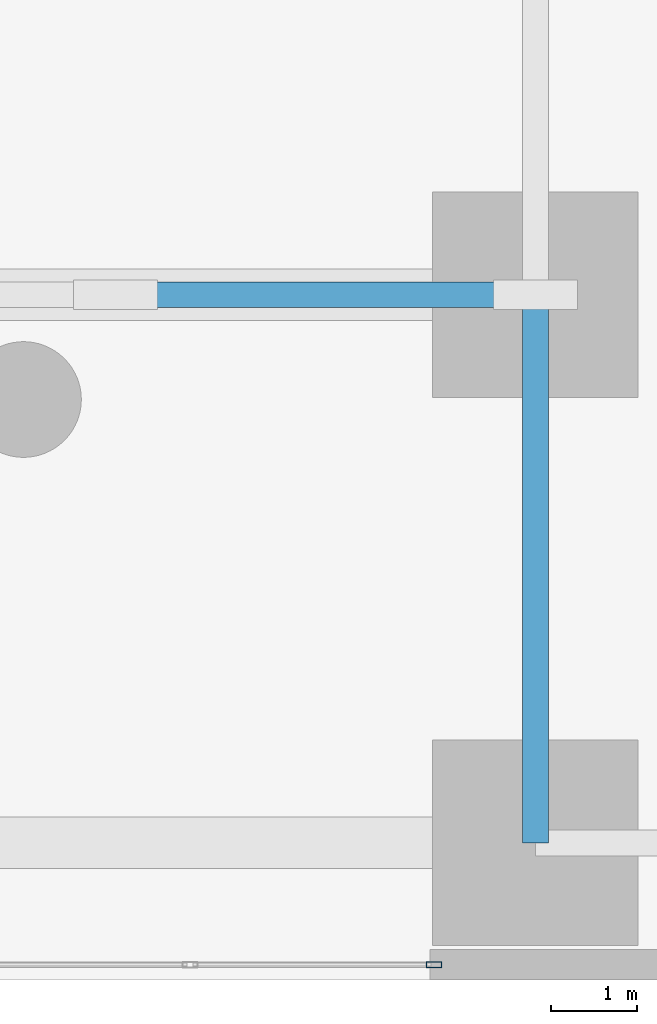
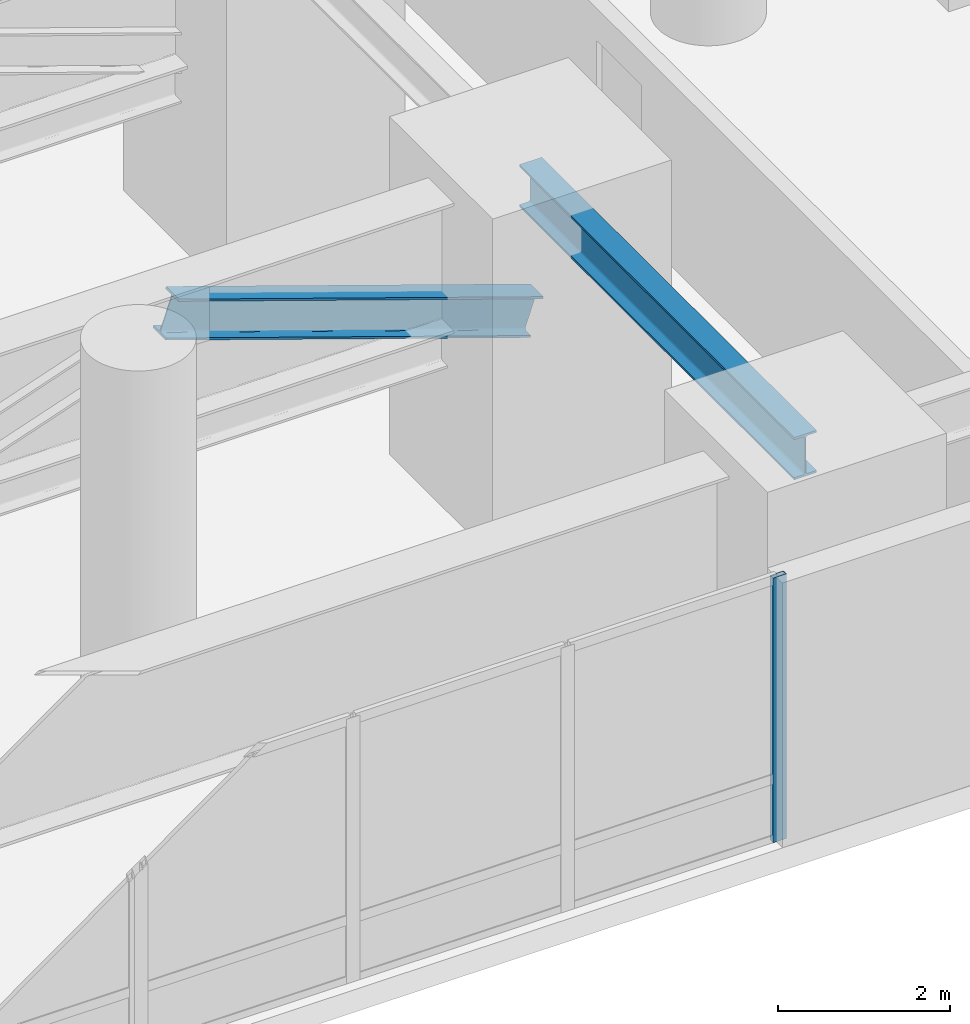
# One storey, part 8 of 17: 2 members, 1 beam, 1 element without a shape of its own.
"""IFC4 building model written with IfcOpenShell, lengths in metres."""

from ifc_helpers import new_model, si_unit, direction, frame, origin, origin_2d, place, context, subcontext, project, spatial, hollow_rectangle, i_section, extrude, material, layer, layer_set, material_profile, profile_set, type_object, element, aggregate, save


model = new_model("IFC4")

# Units and contexts
model_context = context("Model", 3, precision=1e-05, world=origin(), true_north=direction((0.0, 1.0)))
body_context = subcontext(model_context, "Body", "Model", "MODEL_VIEW")
ifc_project = project(units=[si_unit("LENGTHUNIT", "METRE"), si_unit("AREAUNIT", "SQUARE_METRE"), si_unit("VOLUMEUNIT", "CUBIC_METRE"), si_unit("PLANEANGLEUNIT", "RADIAN"), si_unit("MASSUNIT", "GRAM", prefix="KILO"), si_unit("THERMODYNAMICTEMPERATUREUNIT", "KELVIN"), si_unit("POWERUNIT", "WATT")], contexts=[model_context])

# Site, building, storey
site_placement = place(None, origin())
site = spatial("IfcSite", under=ifc_project, at=site_placement, CompositionType="ELEMENT")
building_placement = place(site_placement, origin())
building = spatial("IfcBuilding", under=site, at=building_placement, Name="Ocrelia Relay Tower", CompositionType="ELEMENT")
storey_placement = place(building_placement, frame((0.0, 0.0, 15.60009765625)))
storey = spatial("IfcBuildingStorey", under=building, at=storey_placement, Name="L03", CompositionType="ELEMENT", Elevation=15.60009765625)

# Beam
ifc_material_1 = material(Name="Steel S355", Category="steel")
ifc_material_profile_1 = material_profile(ifc_material_1, i_section(OverallWidth=0.300048828125, OverallDepth=0.60009765625, WebThickness=0.015380859375, FlangeThickness=0.030029296875, FilletRadius=0.027099609375, at=origin_2d()), Name="HEB 600")
ifc_profile_set_1 = profile_set([ifc_material_profile_1], Name="Steel S355")
beam_type = type_object("IfcBeamType", Name="BM-HEB600", PredefinedType="BEAM", material=ifc_profile_set_1)
beam_placement = place(storey_placement, frame((43.800048828125, 1.60009765625, 4.179931640625), z_axis=(0.0, 1.0, 0.0), x_axis=(-1.0, 0.0, 0.0)))
element("IfcBeam", 1, at=beam_placement, inside=storey, type_object=beam_type, Name="L03 Pier Line Tie Girder AE-1", PredefinedType="BEAM", context=body_context, shape_type="SweptSolid", body=[
    extrude(i_section(OverallWidth=0.300048828125, OverallDepth=0.60009765625, WebThickness=0.015380859375, FlangeThickness=0.030029296875, FilletRadius=0.027099609375, at=origin_2d()), origin(), (0.0, 0.0, 1.0), 6.39990234375),
])

# Curtain wall, member
ifc_material_2 = material(Name="Aluminium and solar-control low-E glass", Category="aluminium")
ifc_layer = layer(ifc_material_2, 0.179931640625, Name="Aluminium and solar-control low-E glass")
ifc_layer_set = layer_set([ifc_layer], Name="Aluminium and solar-control low-E glass")
curtain_wall_type = type_object("IfcCurtainWallType", Name="CW-SYS-POD-GALL", PredefinedType="NOTDEFINED", material=ifc_layer_set)
curtain_wall_placement = place(storey_placement, origin())
curtain_wall = element("IfcCurtainWall", 2, at=curtain_wall_placement, inside=storey, type_object=curtain_wall_type, Name="L03 South Over-Arch Curtain Wall East", PredefinedType="NOTDEFINED")
ifc_material_3 = material(Name="Anodised bronze aluminium", Category="aluminium")
ifc_material_profile_2 = material_profile(ifc_material_3, hollow_rectangle(XDim=0.070068359375, YDim=0.179931640625, WallThickness=0.006103515625, at=origin_2d()), Name="CW-MUL-180x70")
ifc_profile_set_2 = profile_set([ifc_material_profile_2], Name="Anodised bronze aluminium")
member_type_1 = type_object("IfcMemberType", Name="CW-SYS-POD-GALL-MUL", PredefinedType="MULLION", material=ifc_profile_set_2)
member_1_placement = place(storey_placement, frame((42.614990234375, 0.179931640625, 0.0), z_axis=(0.0, 0.0, 1.0), x_axis=(0.0, 1.0, 0.0)))
member_1 = element("IfcMember", 3, at=member_1_placement, type_object=member_type_1, Name="CW-PG mullion 4", PredefinedType="MULLION", context=body_context, shape_type="SweptSolid", body=[
    extrude(hollow_rectangle(XDim=0.070068359375, YDim=0.179931640625, WallThickness=0.006103515625, at=origin_2d()), origin(), (0.0, 0.0, 1.0), 3.760009765625),
])
aggregate(curtain_wall, [member_1])

# Member
ifc_material_profile_3 = material_profile(ifc_material_1, i_section(OverallWidth=0.300048828125, OverallDepth=0.550048828125, WebThickness=0.014892578125, FlangeThickness=0.029052734375, FilletRadius=0.027099609375, at=origin_2d()), Name="HEB 550")
ifc_profile_set_3 = profile_set([ifc_material_profile_3], Name="Steel S355")
member_type_2 = type_object("IfcMemberType", Name="MB-ARCH-DIAG", PredefinedType="BRACE", material=ifc_profile_set_3)
member_2_placement = place(storey_placement, frame((38.89990234375, 8.0, 4.02978515625), z_axis=(0.945952968798, 0.0, -0.324303840282), x_axis=(0.0, 1.0, 0.0)))
element("IfcMember", 4, at=member_2_placement, inside=storey, type_object=member_type_2, Name="L03 Warren Transfer Truss Diagonal S-4", PredefinedType="BRACE", context=body_context, shape_type="SweptSolid", body=[
    extrude(i_section(OverallWidth=0.300048828125, OverallDepth=0.550048828125, WebThickness=0.014892578125, FlangeThickness=0.029052734375, FilletRadius=0.027099609375, at=origin_2d()), origin(), (0.0, 0.0, 1.0), 5.18017578125),
])

save(model, "model.ifc")
